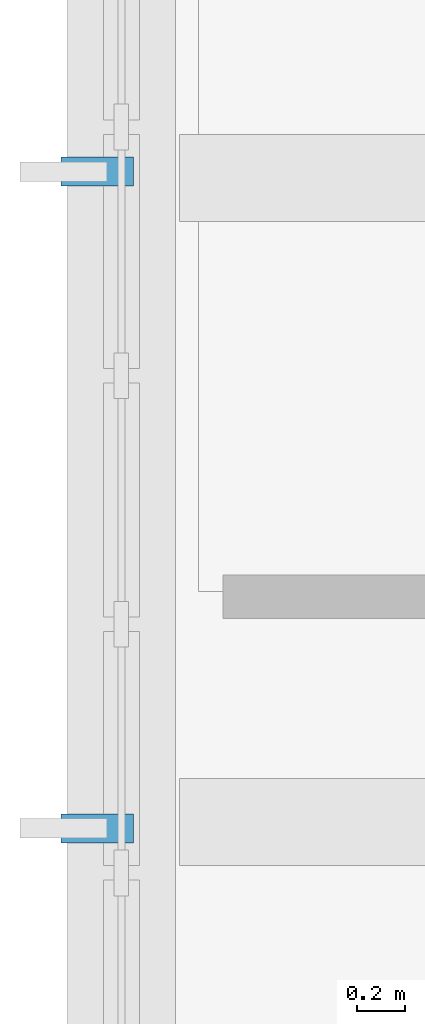
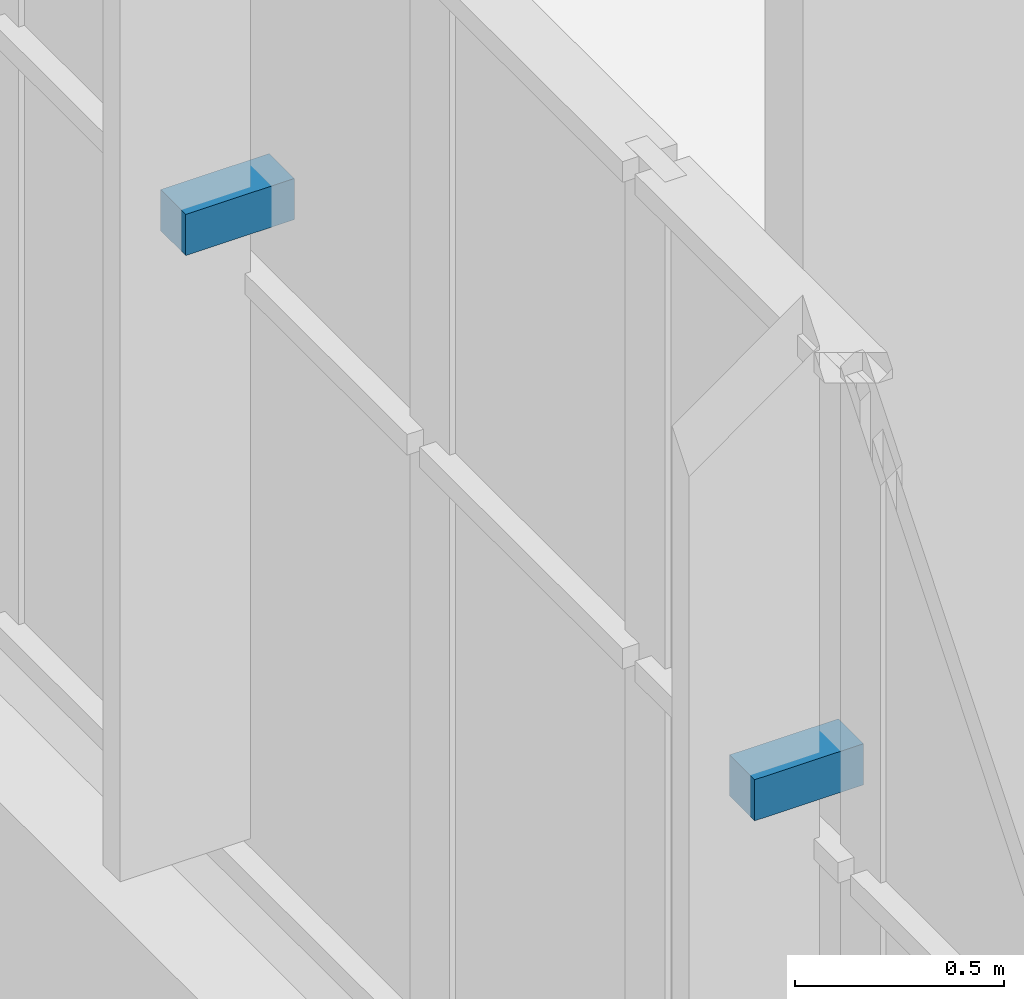
# One storey, part 72 of 85: 2 discrete accessories.
"""IFC4 building model written with IfcOpenShell, lengths in metres."""

from ifc_helpers import new_model, si_unit, direction, frame, origin, origin_2d, place, context, subcontext, project, spatial, rectangle, extrude, material, type_object, element, save


model = new_model("IFC4")

# Units and contexts
model_context = context("Model", 3, precision=1e-05, world=origin(), true_north=direction((0.0, 1.0)))
body_context = subcontext(model_context, "Body", "Model", "MODEL_VIEW")
ifc_project = project(units=[si_unit("LENGTHUNIT", "METRE"), si_unit("AREAUNIT", "SQUARE_METRE"), si_unit("VOLUMEUNIT", "CUBIC_METRE"), si_unit("PLANEANGLEUNIT", "RADIAN"), si_unit("MASSUNIT", "GRAM", prefix="KILO")], contexts=[model_context])

# Site, building, storey
site_placement = place(None, origin())
site = spatial("IfcSite", under=ifc_project, at=site_placement, CompositionType="ELEMENT")
building_placement = place(site_placement, origin())
building = spatial("IfcBuilding", under=site, at=building_placement, Name="Solvane Community Centre", CompositionType="ELEMENT")
storey_placement = place(building_placement, frame((0.0, 0.0, 5.39990234375)))
storey = spatial("IfcBuildingStorey", under=building, at=storey_placement, Name="L01", CompositionType="ELEMENT", Elevation=5.39990234375)

# Discrete accessories
ifc_material = material(Name="Steel ASTM A572 Grade 50", Category="steel")
discrete_accessory_type = type_object("IfcDiscreteAccessoryType", Name="Fin Mounting Bracket 120x120", PredefinedType="BRACKET", material=ifc_material)
for number, where, z_axis, x_axis, name in (
    (1, (5.89990234375, 96.639892578125, 1.929931640625), (0.0, 0.0, 1.0), (0.0, 1.0, 0.0), "Fin Bracket 45"),
    (2, (5.89990234375, 99.360107421875, 1.929931640625), (0.0, 0.0, 1.0), (0.0, 1.0, 0.0), "Fin Bracket 46"),
):
    element("IfcDiscreteAccessory", number, at=place(storey_placement, frame(where, z_axis=z_axis, x_axis=x_axis)), inside=storey, type_object=discrete_accessory_type, Name=name, PredefinedType="BRACKET", context=body_context, shape_type="SweptSolid", body=[
        extrude(rectangle(XDim=0.1201171875, YDim=0.300048828125, at=origin_2d()), origin(), (0.0, 0.0, 1.0), 0.1201171875),
    ])

save(model, "model.ifc")
